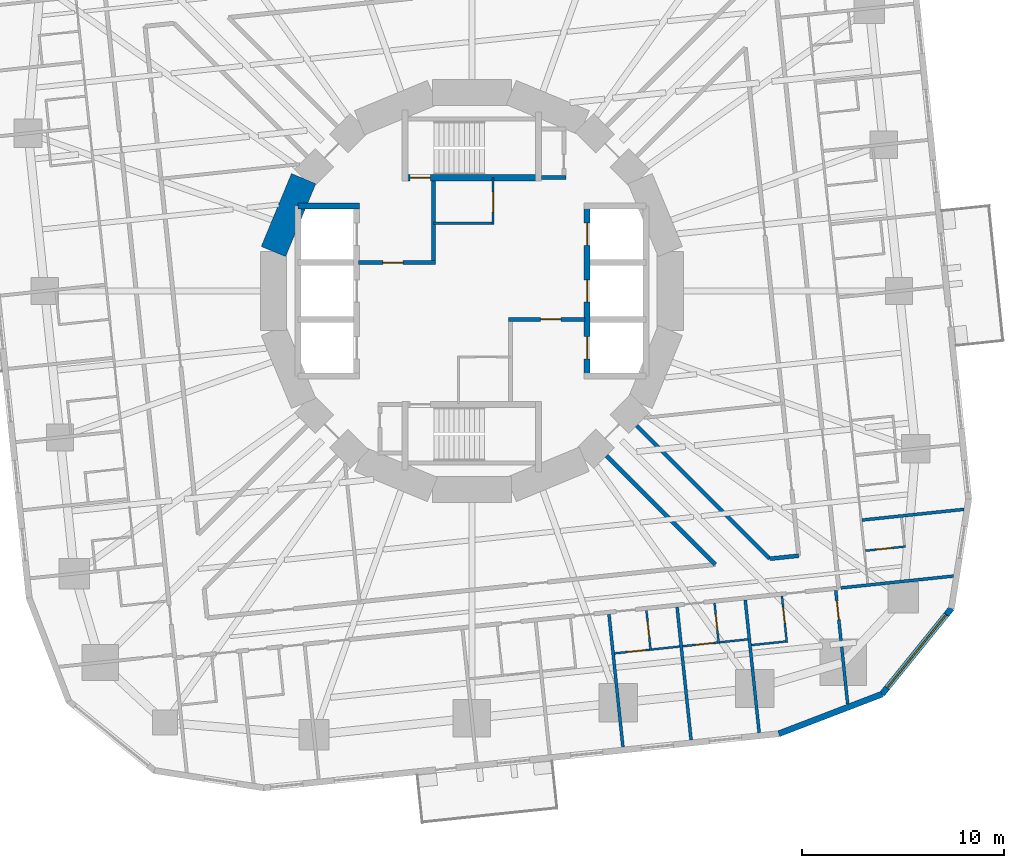
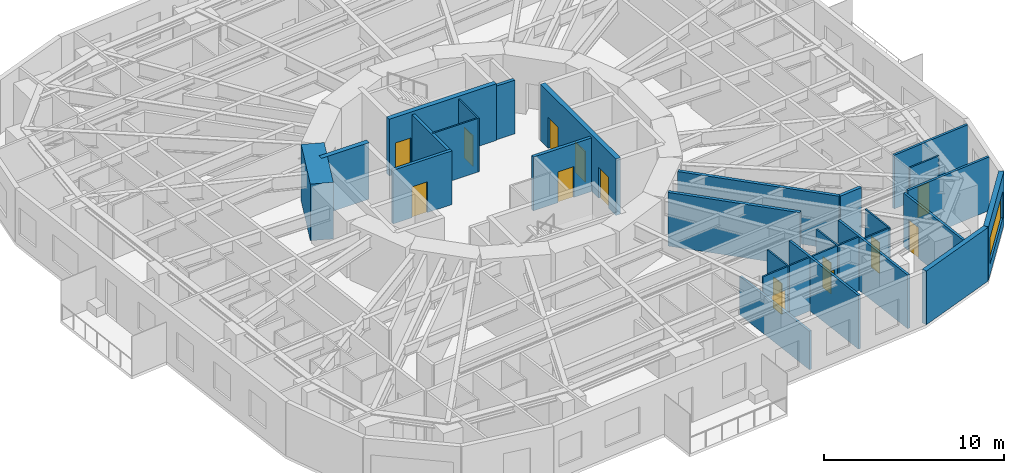
# One storey, part 7 of 13: 30 walls, 14 doors, 1 window, 15 openings.
"""IFC4 building model written with IfcOpenShell, lengths in metres."""

import ifcopenshell
import ifcopenshell.guid

model = None  # the IFC model being written
_history = None  # IfcOwnerHistory: only IFC2X3 demands one
_inside = {}  # id of a spatial element -> (the spatial element, [elements in it])
_under = {}  # id of a project, library or spatial element -> (it, [spatial elements below it])
_declared = {}  # id of a project -> (the project, [libraries it declares])
_typed = {}  # id of a type object -> (the type object, [elements of that type])
_made_of = {}  # id of a material, layer set ... -> (it, [elements and type objects made of it])


def new_model(schema):
    """Start an empty IFC model of exactly this schema.

    Asked for "IFC4X3", IfcOpenShell would pick the latest addendum, in which some entities
    have other attributes; the version numbers below select the first issue.
    IFC2X3 requires an IfcOwnerHistory on every rooted entity: one is made here for all.
    """
    global model, _history
    if schema == "IFC4X3":
        model = ifcopenshell.file(schema_version=(4, 3, 0, 0))
    else:
        model = ifcopenshell.file(schema=schema)
    _inside.clear()
    _under.clear()
    _declared.clear()
    _typed.clear()
    _made_of.clear()
    _history = None
    if model.schema == "IFC2X3":
        org = make("IfcOrganization", Name="unknown")
        user = make(
            "IfcPersonAndOrganization",
            ThePerson=make("IfcPerson", FamilyName="unknown"),
            TheOrganization=org,
        )
        app = make(
            "IfcApplication",
            ApplicationDeveloper=org,
            Version="unknown",
            ApplicationFullName="unknown",
            ApplicationIdentifier="unknown",
        )
        _history = make(
            "IfcOwnerHistory",
            OwningUser=user,
            OwningApplication=app,
            ChangeAction="ADDED",
            CreationDate=0,
        )
    return model


def make(cls, **values):
    """One entity of the class cls with the attributes given. An attribute that is None is left unset."""
    return model.create_entity(
        cls, **{name: value for name, value in values.items() if value is not None}
    )


def rooted(cls, **values):
    """An entity with a GlobalId (a new one), such as an element, a storey or a relation."""
    return make(cls, GlobalId=ifcopenshell.guid.new(), OwnerHistory=_history, **values)


def si_unit(unit_type, name, prefix=None):
    """IfcSIUnit, for example si_unit("LENGTHUNIT", "METRE", prefix="MILLI")."""
    return make("IfcSIUnit", UnitType=unit_type, Prefix=prefix, Name=name)


def assignment(units):
    """IfcUnitAssignment: the units of a project."""
    return None if units is None else make("IfcUnitAssignment", Units=units)


def point(xyz):
    """IfcCartesianPoint."""
    return None if xyz is None else make("IfcCartesianPoint", Coordinates=xyz)


def direction(xyz):
    """IfcDirection."""
    return None if xyz is None else make("IfcDirection", DirectionRatios=xyz)


def frame(location, z_axis=None, x_axis=None):
    """IfcAxis2Placement3D, a coordinate frame: its origin and axes. An axis left out is left unset."""
    return make(
        "IfcAxis2Placement3D",
        Location=point(location),
        Axis=direction(z_axis),
        RefDirection=direction(x_axis),
    )


def frame_2d(location, x_axis=None):
    """IfcAxis2Placement2D, a coordinate frame in the plane: its origin and x axis."""
    return make(
        "IfcAxis2Placement2D", Location=point(location), RefDirection=direction(x_axis)
    )


def origin():
    """The frame at (0, 0, 0) with its axes left unset."""
    return frame((0.0, 0.0, 0.0))


def place(relative_to, where):
    """IfcLocalPlacement: puts the frame where relative to a parent placement (None: the world)."""
    return make(
        "IfcLocalPlacement", PlacementRelTo=relative_to, RelativePlacement=where
    )


def context(
    kind, dimensions, precision=None, world=None, true_north=None, identifier=None
):
    """IfcGeometricRepresentationContext, for example the 3D "Model" context."""
    return make(
        "IfcGeometricRepresentationContext",
        ContextIdentifier=identifier,
        ContextType=kind,
        CoordinateSpaceDimension=dimensions,
        Precision=precision,
        WorldCoordinateSystem=world,
        TrueNorth=true_north,
    )


def subcontext(parent, identifier, kind, view, scale=None):
    """IfcGeometricRepresentationSubContext, for example "Body" below "Model"."""
    return make(
        "IfcGeometricRepresentationSubContext",
        ContextIdentifier=identifier,
        ContextType=kind,
        ParentContext=parent,
        TargetScale=scale,
        TargetView=view,
    )


def project(units=None, contexts=None):
    """IfcProject with its units and contexts."""
    return rooted(
        "IfcProject",
        Name="project",
        RepresentationContexts=contexts,
        UnitsInContext=assignment(units),
    )


def spatial(cls, under=None, at=None, **own):
    """A site, building, storey or space (cls), placed at a placement, below another one or the project."""
    s = rooted(cls, ObjectPlacement=at, **own)
    if under is not None:
        _under.setdefault(under.id(), (under, []))[1].append(s)
    return s


def profile(cls, at=None, kind="AREA", **sizes):
    """A parametric profile (cls). Its sizes go by their IFC names, for example OverallWidth=200.0."""
    return make(cls, ProfileType=kind, Position=at, **sizes)


def rectangle(**sizes):
    """IfcRectangleProfileDef."""
    return profile("IfcRectangleProfileDef", **sizes)


def extrude(swept, where, along, depth):
    """IfcExtrudedAreaSolid: the profile swept, set in the frame where, extruded along a direction by depth."""
    return make(
        "IfcExtrudedAreaSolid",
        SweptArea=swept,
        Position=where,
        ExtrudedDirection=direction(along),
        Depth=depth,
    )


def shape(context_of_items, identifier, shape_type, items):
    """IfcShapeRepresentation: the items that make up one representation, for example the "Body"."""
    return make(
        "IfcShapeRepresentation",
        ContextOfItems=context_of_items,
        RepresentationIdentifier=identifier,
        RepresentationType=shape_type,
        Items=items,
    )


def material(Name=None, Category=None):
    """IfcMaterial."""
    return make("IfcMaterial", Name=Name, Category=Category)


def layer(
    of_material, thickness, ventilated=None, Name=None, Category=None, Priority=None
):
    """IfcMaterialLayer: one layer of a wall or slab, of a material (None: an air gap)."""
    return make(
        "IfcMaterialLayer",
        Material=of_material,
        LayerThickness=thickness,
        IsVentilated=ventilated,
        Name=Name,
        Category=Category,
        Priority=Priority,
    )


def layer_set(layers, Name=None):
    """IfcMaterialLayerSet."""
    return make("IfcMaterialLayerSet", MaterialLayers=layers, LayerSetName=Name)


def made_of(thing, what):
    """Note that an element or type object is made of a material, layer set ...; save() writes the relation."""
    if what is not None:
        _made_of.setdefault(what.id(), (what, []))[1].append(thing)
    return thing


def type_object(cls, material=None, **own):
    """A type object (cls), such as IfcWallType, which elements share."""
    return made_of(rooted(cls, **own), material)


def element(
    cls,
    number,
    at=None,
    inside=None,
    cuts=None,
    type_object=None,
    material=None,
    context=None,
    identifier="Body",
    shape_type=None,
    held_by="IfcProductDefinitionShape",
    body=None,
    shapes=None,
    **own,
):
    """One element of the class cls, such as IfcWall. Its Tag is "e" and its number.

    at: its placement. inside: the storey or other place that contains it. cuts: it is an
    opening in that element (IfcRelVoidsElement). A single representation is given by context,
    identifier, shape_type and body (its items); several are given by shapes. held_by: the class
    of the entity that holds the representations. save() writes the other relations.
    """
    e = rooted(cls, Tag="e%d" % number, ObjectPlacement=at, **own)
    if body is not None:
        shapes = [shape(context, identifier, shape_type, body)]
    if shapes is not None:
        e.Representation = make(held_by, Representations=shapes)
    if inside is not None:
        _inside.setdefault(inside.id(), (inside, []))[1].append(e)
    if cuts is not None:
        rooted(
            "IfcRelVoidsElement", RelatingBuildingElement=cuts, RelatedOpeningElement=e
        )
    if type_object is not None:
        _typed.setdefault(type_object.id(), (type_object, []))[1].append(e)
    return made_of(e, material)


def fill(opening, filler):
    """IfcRelFillsElement: the door or window that sits in an opening."""
    return rooted(
        "IfcRelFillsElement",
        RelatingOpeningElement=opening,
        RelatedBuildingElement=filler,
    )


def aggregate(whole, parts):
    """IfcRelAggregates: a whole, such as a stair, and the parts it consists of."""
    return rooted("IfcRelAggregates", RelatingObject=whole, RelatedObjects=parts)


def save(model, path):
    """Write the relations noted so far, then the file.

    IfcRelAggregates (storeys below a building ...), IfcRelContainedInSpatialStructure (elements
    in a storey), IfcRelDefinesByType, IfcRelAssociatesMaterial and IfcRelDeclares: one each for
    every whole, place, type object, material and project.
    """
    for whole, parts in _under.values():
        aggregate(whole, parts)
    for where, things in _inside.values():
        rooted(
            "IfcRelContainedInSpatialStructure",
            RelatedElements=things,
            RelatingStructure=where,
        )
    for kind, things in _typed.values():
        rooted("IfcRelDefinesByType", RelatedObjects=things, RelatingType=kind)
    for what, things in _made_of.values():
        rooted("IfcRelAssociatesMaterial", RelatedObjects=things, RelatingMaterial=what)
    for by, libraries in _declared.values():
        rooted("IfcRelDeclares", RelatingContext=by, RelatedDefinitions=libraries)
    model.write(path)


model = new_model("IFC4")

# Units and contexts
model_context = context("Model", 3, precision=1e-05, world=origin(), true_north=direction((0.0, 1.0)))
body_context = subcontext(model_context, "Body", "Model", "MODEL_VIEW")
ifc_project = project(units=[si_unit("LENGTHUNIT", "METRE"), si_unit("AREAUNIT", "SQUARE_METRE"), si_unit("VOLUMEUNIT", "CUBIC_METRE"), si_unit("PLANEANGLEUNIT", "RADIAN"), si_unit("MASSUNIT", "GRAM", prefix="KILO")], contexts=[model_context])

# Site, building, storey
site_placement = place(None, origin())
site = spatial("IfcSite", under=ifc_project, at=site_placement, CompositionType="ELEMENT")
building_placement = place(site_placement, origin())
building = spatial("IfcBuilding", under=site, at=building_placement, Name="Nakasero Lantern House", CompositionType="ELEMENT")
storey_placement = place(building_placement, frame((0.0, 0.0, 91.300048828125)))
storey = spatial("IfcBuildingStorey", under=building, at=storey_placement, Name="L22", CompositionType="ELEMENT", Elevation=91.300048828125)

# Wall, openings, doors
ifc_material_1 = material(Name="Concrete C50/60", Category="concrete")
ifc_layer_1 = layer(ifc_material_1, 0.300048828125)
ifc_layer_set_1 = layer_set([ifc_layer_1], Name="Core inner wall 300")
wall_type_1 = type_object("IfcWallType", Name="Core inner wall 300", PredefinedType="SHEAR", material=ifc_layer_set_1)
wall_1_placement = place(storey_placement, frame((5.699951171875, -4.199951171875, 0.0), z_axis=(0.0, 0.0, 1.0), x_axis=(0.0, 1.0, 0.0)))
wall_1 = element("IfcWall", 1, at=wall_1_placement, inside=storey, type_object=wall_type_1, Name="Core inner wall L22 LE", PredefinedType="SHEAR", context=body_context, shape_type="SweptSolid", body=[
    extrude(rectangle(XDim=8.39990234375, YDim=0.300048828125, at=frame_2d((4.199951171875, 0.0))), origin(), (0.0, 0.0, 1.0), 3.849853515625),
])
opening_1_placement = place(wall_1_placement, frame((0.85009765625, 0.0, 0.0)))
opening_1 = element("IfcOpeningElement", 2, at=opening_1_placement, cuts=wall_1, Name="Opening LD", PredefinedType="OPENING", context=body_context, shape_type="SweptSolid", body=[
    extrude(rectangle(XDim=1.10009765625, YDim=2.10009765625, at=frame_2d((0.550048828125, 1.050048828125))), frame((0.0, 0.169921875, 0.0), z_axis=(0.0, -1.0, 0.0), x_axis=(1.0, 0.0, 0.0)), (0.0, 0.0, 1.0), 0.340087890625),
])
opening_2_placement = place(wall_1_placement, frame((3.64990234375, 0.0, 0.0)))
opening_2 = element("IfcOpeningElement", 3, at=opening_2_placement, cuts=wall_1, Name="Opening LD", PredefinedType="OPENING", context=body_context, shape_type="SweptSolid", body=[
    extrude(rectangle(XDim=1.10009765625, YDim=2.10009765625, at=frame_2d((0.550048828125, 1.050048828125))), frame((0.0, 0.169921875, 0.0), z_axis=(0.0, -1.0, 0.0), x_axis=(1.0, 0.0, 0.0)), (0.0, 0.0, 1.0), 0.340087890625),
])
opening_3_placement = place(wall_1_placement, frame((6.449951171875, 0.0, 0.0)))
opening_3 = element("IfcOpeningElement", 4, at=opening_3_placement, cuts=wall_1, Name="Opening LD", PredefinedType="OPENING", context=body_context, shape_type="SweptSolid", body=[
    extrude(rectangle(XDim=1.10009765625, YDim=2.10009765625, at=frame_2d((0.550048828125, 1.050048828125))), frame((0.0, 0.169921875, 0.0), z_axis=(0.0, -1.0, 0.0), x_axis=(1.0, 0.0, 0.0)), (0.0, 0.0, 1.0), 0.340087890625),
])
ifc_material_2 = material(Name="Steel S355", Category="steel")
door_type_1 = type_object("IfcDoorType", Name="Lift landing door E120 1100", OperationType="SLIDING_TO_LEFT", PredefinedType="DOOR", material=ifc_material_2)
door_1_placement = place(opening_1_placement, origin())
door_1 = element("IfcDoor", 5, at=door_1_placement, inside=storey, type_object=door_type_1, Name="Lift landing door LE1", OperationType="SLIDING_TO_LEFT", OverallHeight=2.10009765625, OverallWidth=1.10009765625, PredefinedType="DOOR", context=body_context, shape_type="SweptSolid", body=[
    extrude(rectangle(XDim=1.10009765625, YDim=2.10009765625, at=frame_2d((0.550048828125, 1.050048828125))), frame((0.0, 0.02490234375, 0.0), z_axis=(0.0, -1.0, 0.0), x_axis=(1.0, 0.0, 0.0)), (0.0, 0.0, 1.0), 0.050048828125),
])
fill(opening_1, door_1)
door_2_placement = place(opening_2_placement, origin())
door_2 = element("IfcDoor", 6, at=door_2_placement, inside=storey, type_object=door_type_1, Name="Lift landing door LE2", OperationType="SLIDING_TO_LEFT", OverallHeight=2.10009765625, OverallWidth=1.10009765625, PredefinedType="DOOR", context=body_context, shape_type="SweptSolid", body=[
    extrude(rectangle(XDim=1.10009765625, YDim=2.10009765625, at=frame_2d((0.550048828125, 1.050048828125))), frame((0.0, 0.02490234375, 0.0), z_axis=(0.0, -1.0, 0.0), x_axis=(1.0, 0.0, 0.0)), (0.0, 0.0, 1.0), 0.050048828125),
])
fill(opening_2, door_2)
door_3_placement = place(opening_3_placement, origin())
door_3 = element("IfcDoor", 7, at=door_3_placement, inside=storey, type_object=door_type_1, Name="Lift landing door LE3", OperationType="SLIDING_TO_LEFT", OverallHeight=2.10009765625, OverallWidth=1.10009765625, PredefinedType="DOOR", context=body_context, shape_type="SweptSolid", body=[
    extrude(rectangle(XDim=1.10009765625, YDim=2.10009765625, at=frame_2d((0.550048828125, 1.050048828125))), frame((0.0, 0.02490234375, 0.0), z_axis=(0.0, -1.0, 0.0), x_axis=(1.0, 0.0, 0.0)), (0.0, 0.0, 1.0), 0.050048828125),
])
fill(opening_3, door_3)

# Wall
wall_2_placement = place(storey_placement, frame((-8.60009765625, 4.199951171875, 0.0), z_axis=(0.0, 0.0, 1.0), x_axis=(1.0, 0.0, 0.0)))
element("IfcWall", 8, at=wall_2_placement, inside=storey, type_object=wall_type_1, Name="Core inner wall L22 LWN", PredefinedType="SHEAR", context=body_context, shape_type="SweptSolid", body=[
    extrude(rectangle(XDim=3.050048828125, YDim=0.300048828125, at=frame_2d((1.52490234375, 0.0))), origin(), (0.0, 0.0, 1.0), 3.849853515625),
])

# Wall, opening, door
wall_3_placement = place(storey_placement, frame((-3.449951171875, 5.60009765625, 0.0), z_axis=(0.0, 0.0, 1.0), x_axis=(1.0, 0.0, 0.0)))
wall_3 = element("IfcWall", 9, at=wall_3_placement, inside=storey, type_object=wall_type_1, Name="Core inner wall L22 SN", PredefinedType="SHEAR", context=body_context, shape_type="SweptSolid", body=[
    extrude(rectangle(XDim=6.89990234375, YDim=0.300048828125, at=frame_2d((3.449951171875, 0.0))), origin(), (0.0, 0.0, 1.0), 3.849853515625),
])
opening_4_placement = place(wall_3_placement, frame((0.39990234375, 0.0, 0.0)))
opening_4 = element("IfcOpeningElement", 10, at=opening_4_placement, cuts=wall_3, Name="Opening D05", PredefinedType="OPENING", context=body_context, shape_type="SweptSolid", body=[
    extrude(rectangle(XDim=1.0, YDim=2.10009765625, at=frame_2d((0.5, 1.050048828125))), frame((0.0, 0.169921875, 0.0), z_axis=(0.0, -1.0, 0.0), x_axis=(1.0, 0.0, 0.0)), (0.0, 0.0, 1.0), 0.340087890625),
])
ifc_material_3 = material(Name="Timber C24", Category="wood")
door_type_2 = type_object("IfcDoorType", Name="Core door FD60S 1000", OperationType="SINGLE_SWING_LEFT", PredefinedType="DOOR", material=ifc_material_3)
door_4_placement = place(opening_4_placement, origin())
door_4 = element("IfcDoor", 11, at=door_4_placement, inside=storey, type_object=door_type_2, Name="Door L22 D-ST1", OperationType="SINGLE_SWING_LEFT", OverallHeight=2.10009765625, OverallWidth=1.0, PredefinedType="DOOR", context=body_context, shape_type="SweptSolid", body=[
    extrude(rectangle(XDim=1.0, YDim=2.10009765625, at=frame_2d((0.5, 1.050048828125))), frame((0.0, 0.02490234375, 0.0), z_axis=(0.0, -1.0, 0.0), x_axis=(1.0, 0.0, 0.0)), (0.0, 0.0, 1.0), 0.050048828125),
])
fill(opening_4, door_4)

# Wall
ifc_material_4 = material(Name="Blockwork", Category="masonry")
ifc_layer_2 = layer(ifc_material_4, 0.10009765625)
ifc_layer_set_2 = layer_set([ifc_layer_2], Name="Core room wall 100")
wall_type_2 = type_object("IfcWallType", Name="Core room wall 100", PredefinedType="PARTITIONING", material=ifc_layer_set_2)
wall_4_placement = place(storey_placement, frame((-1.89990234375, 3.35009765625, 0.0), z_axis=(0.0, 0.0, 1.0), x_axis=(1.0, 0.0, 0.0)))
element("IfcWall", 12, at=wall_4_placement, inside=storey, type_object=wall_type_2, Name="Core room wall L22 CR-NES", PredefinedType="PARTITIONING", context=body_context, shape_type="SweptSolid", body=[
    extrude(rectangle(XDim=3.0, YDim=0.10009765625, at=frame_2d((1.5, 0.0))), origin(), (0.0, 0.0, 1.0), 3.64990234375),
])

# Wall, opening, door
wall_5_placement = place(storey_placement, frame((1.050048828125, 3.300048828125, 0.0), z_axis=(0.0, 0.0, 1.0), x_axis=(0.0, 1.0, 0.0)))
wall_5 = element("IfcWall", 13, at=wall_5_placement, inside=storey, type_object=wall_type_2, Name="Core room wall L22 CR-NEE", PredefinedType="PARTITIONING", context=body_context, shape_type="SweptSolid", body=[
    extrude(rectangle(XDim=2.300048828125, YDim=0.10009765625, at=frame_2d((1.14990234375, 0.0))), origin(), (0.0, 0.0, 1.0), 3.64990234375),
])
opening_5_placement = place(wall_5_placement, frame((0.60009765625, 0.0, 0.0)))
opening_5 = element("IfcOpeningElement", 14, at=opening_5_placement, cuts=wall_5, Name="Opening D13", PredefinedType="OPENING", context=body_context, shape_type="SweptSolid", body=[
    extrude(rectangle(XDim=1.0, YDim=2.10009765625, at=frame_2d((0.5, 1.050048828125))), frame((0.0, 0.070068359375, 0.0), z_axis=(0.0, -1.0, 0.0), x_axis=(1.0, 0.0, 0.0)), (0.0, 0.0, 1.0), 0.14013671875),
])
ifc_material_5 = material(Name="Steel S355", Category="steel")
door_type_3 = type_object("IfcDoorType", Name="Plant room door FD60 1000", OperationType="SINGLE_SWING_LEFT", PredefinedType="DOOR", material=ifc_material_5)
door_5_placement = place(opening_5_placement, origin())
door_5 = element("IfcDoor", 15, at=door_5_placement, inside=storey, type_object=door_type_3, Name="Door L22 D-CR-NE", OperationType="SINGLE_SWING_LEFT", OverallHeight=2.10009765625, OverallWidth=1.0, PredefinedType="DOOR", context=body_context, shape_type="SweptSolid", body=[
    extrude(rectangle(XDim=1.0, YDim=2.10009765625, at=frame_2d((0.5, 1.050048828125))), frame((0.0, 0.02490234375, 0.0), z_axis=(0.0, -1.0, 0.0), x_axis=(1.0, 0.0, 0.0)), (0.0, 0.0, 1.0), 0.050048828125),
])
fill(opening_5, door_5)

# Walls
ifc_material_6 = material(Name="Concrete C50/60", Category="concrete")
ifc_layer_3 = layer(ifc_material_6, 1.300048828125)
ifc_layer_set_3 = layer_set([ifc_layer_3], Name="Core wall 1300")
wall_type_3 = type_object("IfcWallType", Name="Core wall 1300", PredefinedType="SHEAR", material=ifc_layer_set_3)
wall_6_placement = place(storey_placement, frame((-8.314697265625, 5.5556640625, 0.0), z_axis=(0.0, 0.0, 1.0), x_axis=(-0.382690736062, -0.923876507187, 0.0)))
element("IfcWall", 16, at=wall_6_placement, inside=storey, type_object=wall_type_3, Name="Core wall L22 facet 7", PredefinedType="SHEAR", context=body_context, shape_type="SweptSolid", body=[
    extrude(rectangle(XDim=3.90185546875, YDim=1.300048828125, at=frame_2d((1.950927734375, 0.0))), origin(), (0.0, 0.0, 1.0), 3.849853515625),
])
ifc_material_7 = material(Name="Blockwork", Category="masonry")
ifc_layer_4 = layer(ifc_material_7, 0.199951171875)
ifc_layer_set_4 = layer_set([ifc_layer_4], Name="Corridor wall 200")
wall_type_4 = type_object("IfcWallType", Name="Corridor wall 200", PredefinedType="PARTITIONING", material=ifc_layer_set_4)
wall_7_placement = place(storey_placement, frame((14.718994140625, -13.23388671875, 0.0), z_axis=(0.0, 0.0, 1.0), x_axis=(0.994533193131, 0.104420916302, 0.0)))
element("IfcWall", 17, at=wall_7_placement, inside=storey, type_object=wall_type_4, Name="Corridor wall L22 IW3-1", PredefinedType="PARTITIONING", context=body_context, shape_type="SweptSolid", body=[
    extrude(rectangle(XDim=1.44482421875, YDim=0.199951171875, at=frame_2d((0.722412109375, 0.0))), origin(), (0.0, 0.0, 1.0), 3.64990234375),
])
wall_8_placement = place(storey_placement, frame((8.13720703125, -6.65234375, 0.0), z_axis=(0.0, 0.0, 1.0), x_axis=(0.707119895793, -0.707093666337, 0.0)))
element("IfcWall", 18, at=wall_8_placement, inside=storey, type_object=wall_type_4, Name="Corridor wall L22 PS14a", PredefinedType="PARTITIONING", context=body_context, shape_type="SweptSolid", body=[
    extrude(rectangle(XDim=9.307861328125, YDim=0.199951171875, at=frame_2d((4.65380859375, 0.0))), origin(), (0.0, 0.0, 1.0), 3.64990234375),
])
wall_9_placement = place(storey_placement, frame((6.65234375, -8.13720703125, 0.0), z_axis=(0.0, 0.0, 1.0), x_axis=(0.707106781187, -0.707106781187, 0.0)))
element("IfcWall", 19, at=wall_9_placement, inside=storey, type_object=wall_type_4, Name="Corridor wall L22 PS14b", PredefinedType="PARTITIONING", context=body_context, shape_type="SweptSolid", body=[
    extrude(rectangle(XDim=7.607177734375, YDim=0.199951171875, at=frame_2d((3.8037109375, 0.0))), origin(), (0.0, 0.0, 1.0), 3.64990234375),
])

# Wall, opening, door
ifc_material_8 = material(Name="Blockwork", Category="masonry")
ifc_layer_5 = layer(ifc_material_8, 0.10009765625)
ifc_layer_set_5 = layer_set([ifc_layer_5], Name="En-suite wall 100")
wall_type_5 = type_object("IfcWallType", Name="En-suite wall 100", PredefinedType="PARTITIONING", material=ifc_layer_set_5)
wall_10_placement = place(storey_placement, frame((19.448486328125, -12.837158203125, 0.0), z_axis=(0.0, 0.0, 1.0), x_axis=(0.99452550138, 0.104494148666, 0.0)))
wall_10 = element("IfcWall", 20, at=wall_10_placement, inside=storey, type_object=wall_type_5, Name="En-suite wall L22 ES0-00", PredefinedType="PARTITIONING", context=body_context, shape_type="SweptSolid", body=[
    extrude(rectangle(XDim=2.0, YDim=0.10009765625, at=frame_2d((1.0, 0.0))), origin(), (0.0, 0.0, 1.0), 3.64990234375),
])
opening_6_placement = place(wall_10_placement, frame((0.550048828125, 0.0, 0.0)))
opening_6 = element("IfcOpeningElement", 21, at=opening_6_placement, cuts=wall_10, Name="Opening D02", PredefinedType="OPENING", context=body_context, shape_type="SweptSolid", body=[
    extrude(rectangle(XDim=0.800048828125, YDim=2.10009765625, at=frame_2d((0.39990234375, 1.050048828125))), frame((0.0, 0.070068359375, 0.0), z_axis=(0.0, -1.0, 0.0), x_axis=(1.0, 0.0, 0.0)), (0.0, 0.0, 1.0), 0.14013671875),
])
ifc_material_9 = material(Name="Timber C24", Category="wood")
door_type_4 = type_object("IfcDoorType", Name="En-suite door 800", OperationType="SINGLE_SWING_RIGHT", PredefinedType="DOOR", material=ifc_material_9)
door_6_placement = place(opening_6_placement, origin())
door_6 = element("IfcDoor", 22, at=door_6_placement, inside=storey, type_object=door_type_4, Name="Door L22 DE0-00", OperationType="SINGLE_SWING_LEFT", OverallHeight=2.10009765625, OverallWidth=0.800048828125, PredefinedType="DOOR", context=body_context, shape_type="SweptSolid", body=[
    extrude(rectangle(XDim=0.800048828125, YDim=2.10009765625, at=frame_2d((0.39990234375, 1.050048828125))), frame((0.0, 0.02490234375, 0.0), z_axis=(0.0, -1.0, 0.0), x_axis=(1.0, 0.0, 0.0)), (0.0, 0.0, 1.0), 0.050048828125),
])
fill(opening_6, door_6)

wall_11_placement = place(storey_placement, frame((8.627685546875, -15.78466796875, 0.0), z_axis=(0.0, 0.0, 1.0), x_axis=(0.104614886044, -0.994512808172, 0.0)))
wall_11 = element("IfcWall", 23, at=wall_11_placement, inside=storey, type_object=wall_type_5, Name="En-suite wall L22 ES3-06", PredefinedType="PARTITIONING", context=body_context, shape_type="SweptSolid", body=[
    extrude(rectangle(XDim=2.0, YDim=0.10009765625, at=frame_2d((1.0, 0.0))), origin(), (0.0, 0.0, 1.0), 3.64990234375),
])
opening_7_placement = place(wall_11_placement, frame((0.550048828125, 0.0, 0.0)))
opening_7 = element("IfcOpeningElement", 24, at=opening_7_placement, cuts=wall_11, Name="Opening D02", PredefinedType="OPENING", context=body_context, shape_type="SweptSolid", body=[
    extrude(rectangle(XDim=0.800048828125, YDim=2.10009765625, at=frame_2d((0.39990234375, 1.050048828125))), frame((0.0, 0.070068359375, 0.0), z_axis=(0.0, -1.0, 0.0), x_axis=(1.0, 0.0, 0.0)), (0.0, 0.0, 1.0), 0.14013671875),
])
door_7_placement = place(opening_7_placement, origin())
door_7 = element("IfcDoor", 25, at=door_7_placement, inside=storey, type_object=door_type_4, Name="Door L22 DE3-06", OperationType="SINGLE_SWING_LEFT", OverallHeight=2.10009765625, OverallWidth=0.800048828125, PredefinedType="DOOR", context=body_context, shape_type="SweptSolid", body=[
    extrude(rectangle(XDim=0.800048828125, YDim=2.10009765625, at=frame_2d((0.39990234375, 1.050048828125))), frame((0.0, 0.02490234375, 0.0), z_axis=(0.0, -1.0, 0.0), x_axis=(1.0, 0.0, 0.0)), (0.0, 0.0, 1.0), 0.050048828125),
])
fill(opening_7, door_7)

# Wall
wall_12_placement = place(storey_placement, frame((8.88134765625, -17.71875, 0.0), z_axis=(0.0, 0.0, 1.0), x_axis=(0.994511184598, 0.104630319263, 0.0)))
element("IfcWall", 26, at=wall_12_placement, inside=storey, type_object=wall_type_5, Name="En-suite wall L22 EE3-06", PredefinedType="PARTITIONING", context=body_context, shape_type="SweptSolid", body=[
    extrude(rectangle(XDim=1.39990234375, YDim=0.10009765625, at=frame_2d((0.699951171875, 0.0))), origin(), (0.0, 0.0, 1.0), 3.64990234375),
])

# Wall, opening, door
wall_13_placement = place(storey_placement, frame((11.994873046875, -15.4306640625, 0.0), z_axis=(0.0, 0.0, 1.0), x_axis=(0.104494148666, -0.99452550138, 0.0)))
wall_13 = element("IfcWall", 27, at=wall_13_placement, inside=storey, type_object=wall_type_5, Name="En-suite wall L22 ES3-07", PredefinedType="PARTITIONING", context=body_context, shape_type="SweptSolid", body=[
    extrude(rectangle(XDim=2.0, YDim=0.10009765625, at=frame_2d((1.0, 0.0))), origin(), (0.0, 0.0, 1.0), 3.64990234375),
])
opening_8_placement = place(wall_13_placement, frame((0.550048828125, 0.0, 0.0)))
opening_8 = element("IfcOpeningElement", 28, at=opening_8_placement, cuts=wall_13, Name="Opening D02", PredefinedType="OPENING", context=body_context, shape_type="SweptSolid", body=[
    extrude(rectangle(XDim=0.800048828125, YDim=2.10009765625, at=frame_2d((0.39990234375, 1.050048828125))), frame((0.0, 0.070068359375, 0.0), z_axis=(0.0, -1.0, 0.0), x_axis=(1.0, 0.0, 0.0)), (0.0, 0.0, 1.0), 0.14013671875),
])
door_8_placement = place(opening_8_placement, origin())
door_8 = element("IfcDoor", 29, at=door_8_placement, inside=storey, type_object=door_type_4, Name="Door L22 DE3-07", OperationType="SINGLE_SWING_LEFT", OverallHeight=2.10009765625, OverallWidth=0.800048828125, PredefinedType="DOOR", context=body_context, shape_type="SweptSolid", body=[
    extrude(rectangle(XDim=0.800048828125, YDim=2.10009765625, at=frame_2d((0.39990234375, 1.050048828125))), frame((0.0, 0.02490234375, 0.0), z_axis=(0.0, -1.0, 0.0), x_axis=(1.0, 0.0, 0.0)), (0.0, 0.0, 1.0), 0.050048828125),
])
fill(opening_8, door_8)

# Wall
wall_14_placement = place(storey_placement, frame((12.248291015625, -17.36474609375, 0.0), z_axis=(0.0, 0.0, 1.0), x_axis=(0.994529315664, 0.104457839748, 0.0)))
element("IfcWall", 30, at=wall_14_placement, inside=storey, type_object=wall_type_5, Name="En-suite wall L22 EE3-07", PredefinedType="PARTITIONING", context=body_context, shape_type="SweptSolid", body=[
    extrude(rectangle(XDim=1.39990234375, YDim=0.10009765625, at=frame_2d((0.699951171875, 0.0))), origin(), (0.0, 0.0, 1.0), 3.64990234375),
])

# Wall, opening, door
wall_15_placement = place(storey_placement, frame((15.326416015625, -15.08056640625, 0.0), z_axis=(0.0, 0.0, 1.0), x_axis=(0.104557694553, -0.994518822602, 0.0)))
wall_15 = element("IfcWall", 31, at=wall_15_placement, inside=storey, type_object=wall_type_5, Name="En-suite wall L22 ES3-08", PredefinedType="PARTITIONING", context=body_context, shape_type="SweptSolid", body=[
    extrude(rectangle(XDim=2.300048828125, YDim=0.10009765625, at=frame_2d((1.14990234375, 0.0))), origin(), (0.0, 0.0, 1.0), 3.64990234375),
])
opening_9_placement = place(wall_15_placement, frame((0.550048828125, 0.0, 0.0)))
opening_9 = element("IfcOpeningElement", 32, at=opening_9_placement, cuts=wall_15, Name="Opening D02", PredefinedType="OPENING", context=body_context, shape_type="SweptSolid", body=[
    extrude(rectangle(XDim=0.800048828125, YDim=2.10009765625, at=frame_2d((0.39990234375, 1.050048828125))), frame((0.0, 0.070068359375, 0.0), z_axis=(0.0, -1.0, 0.0), x_axis=(1.0, 0.0, 0.0)), (0.0, 0.0, 1.0), 0.14013671875),
])
door_9_placement = place(opening_9_placement, origin())
door_9 = element("IfcDoor", 33, at=door_9_placement, inside=storey, type_object=door_type_4, Name="Door L22 DE3-08", OperationType="SINGLE_SWING_LEFT", OverallHeight=2.10009765625, OverallWidth=0.800048828125, PredefinedType="DOOR", context=body_context, shape_type="SweptSolid", body=[
    extrude(rectangle(XDim=0.800048828125, YDim=2.10009765625, at=frame_2d((0.39990234375, 1.050048828125))), frame((0.0, 0.02490234375, 0.0), z_axis=(0.0, -1.0, 0.0), x_axis=(1.0, 0.0, 0.0)), (0.0, 0.0, 1.0), 0.050048828125),
])
fill(opening_9, door_9)

# Wall
wall_16_placement = place(storey_placement, frame((13.8212890625, -17.501220703125, 0.0), z_axis=(0.0, 0.0, 1.0), x_axis=(0.994519608382, 0.104550220202, 0.0)))
element("IfcWall", 34, at=wall_16_placement, inside=storey, type_object=wall_type_5, Name="En-suite wall L22 EE3-08", PredefinedType="PARTITIONING", context=body_context, shape_type="SweptSolid", body=[
    extrude(rectangle(XDim=1.699951171875, YDim=0.10009765625, at=frame_2d((0.85009765625, 0.0))), origin(), (0.0, 0.0, 1.0), 3.64990234375),
])

# Wall, opening, door
wall_17_placement = place(storey_placement, frame((7.055908203125, -17.91064453125, 0.0), z_axis=(0.0, 0.0, 1.0), x_axis=(0.99452316669, 0.10451636674, 0.0)))
wall_17 = element("IfcWall", 35, at=wall_17_placement, inside=storey, type_object=wall_type_5, Name="En-suite wall L22 EL3-06", PredefinedType="PARTITIONING", context=body_context, shape_type="SweptSolid", body=[
    extrude(rectangle(XDim=1.735595703125, YDim=0.10009765625, at=frame_2d((0.86767578125, 0.0))), origin(), (0.0, 0.0, 1.0), 3.64990234375),
])
opening_10_placement = place(wall_17_placement, frame((0.635498046875, 0.0, 0.0)))
opening_10 = element("IfcOpeningElement", 36, at=opening_10_placement, cuts=wall_17, Name="Opening D17", PredefinedType="OPENING", context=body_context, shape_type="SweptSolid", body=[
    extrude(rectangle(XDim=0.89990234375, YDim=2.10009765625, at=frame_2d((0.449951171875, 1.050048828125))), frame((0.0, 0.070068359375, 0.0), z_axis=(0.0, -1.0, 0.0), x_axis=(1.0, 0.0, 0.0)), (0.0, 0.0, 1.0), 0.14013671875),
])
ifc_material_10 = material(Name="Timber C24", Category="wood")
door_type_5 = type_object("IfcDoorType", Name="Bedroom door FD30S 900", OperationType="SINGLE_SWING_LEFT", PredefinedType="DOOR", material=ifc_material_10)
door_10_placement = place(opening_10_placement, origin())
door_10 = element("IfcDoor", 37, at=door_10_placement, inside=storey, type_object=door_type_5, Name="Door L22 DL3-06", OperationType="SINGLE_SWING_RIGHT", OverallHeight=2.10009765625, OverallWidth=0.89990234375, PredefinedType="DOOR", context=body_context, shape_type="SweptSolid", body=[
    extrude(rectangle(XDim=0.89990234375, YDim=2.10009765625, at=frame_2d((0.449951171875, 1.050048828125))), frame((0.0, 0.02490234375, 0.0), z_axis=(0.0, -1.0, 0.0), x_axis=(1.0, 0.0, 0.0)), (0.0, 0.0, 1.0), 0.050048828125),
])
fill(opening_10, door_10)

wall_18_placement = place(storey_placement, frame((10.4228515625, -17.556640625, 0.0), z_axis=(0.0, 0.0, 1.0), x_axis=(0.99452316669, 0.10451636674, 0.0)))
wall_18 = element("IfcWall", 38, at=wall_18_placement, inside=storey, type_object=wall_type_5, Name="En-suite wall L22 EL3-07", PredefinedType="PARTITIONING", context=body_context, shape_type="SweptSolid", body=[
    extrude(rectangle(XDim=1.735595703125, YDim=0.10009765625, at=frame_2d((0.86767578125, 0.0))), origin(), (0.0, 0.0, 1.0), 3.64990234375),
])
opening_11_placement = place(wall_18_placement, frame((0.635498046875, 0.0, 0.0)))
opening_11 = element("IfcOpeningElement", 39, at=opening_11_placement, cuts=wall_18, Name="Opening D17", PredefinedType="OPENING", context=body_context, shape_type="SweptSolid", body=[
    extrude(rectangle(XDim=0.89990234375, YDim=2.10009765625, at=frame_2d((0.449951171875, 1.050048828125))), frame((0.0, 0.070068359375, 0.0), z_axis=(0.0, -1.0, 0.0), x_axis=(1.0, 0.0, 0.0)), (0.0, 0.0, 1.0), 0.14013671875),
])
door_11_placement = place(opening_11_placement, origin())
door_11 = element("IfcDoor", 40, at=door_11_placement, inside=storey, type_object=door_type_5, Name="Door L22 DL3-07", OperationType="SINGLE_SWING_RIGHT", OverallHeight=2.10009765625, OverallWidth=0.89990234375, PredefinedType="DOOR", context=body_context, shape_type="SweptSolid", body=[
    extrude(rectangle(XDim=0.89990234375, YDim=2.10009765625, at=frame_2d((0.449951171875, 1.050048828125))), frame((0.0, 0.02490234375, 0.0), z_axis=(0.0, -1.0, 0.0), x_axis=(1.0, 0.0, 0.0)), (0.0, 0.0, 1.0), 0.050048828125),
])
fill(opening_11, door_11)

# Wall
ifc_material_11 = material(Name="Aluminium rainscreen on blockwork", Category="masonry")
ifc_layer_6 = layer(ifc_material_11, 0.300048828125)
ifc_layer_set_6 = layer_set([ifc_layer_6], Name="Facade wall 300")
wall_type_6 = type_object("IfcWallType", Name="Facade wall 300", PredefinedType="SOLIDWALL", material=ifc_layer_set_6)
wall_19_placement = place(storey_placement, frame((15.170654296875, -21.884033203125, 0.0), z_axis=(0.0, 0.0, 1.0), x_axis=(0.933583906079, 0.358358884793, 0.0)))
element("IfcWall", 41, at=wall_19_placement, inside=storey, type_object=wall_type_6, Name="Facade wall L22 FW3C1", PredefinedType="SOLIDWALL", context=body_context, shape_type="SweptSolid", body=[
    extrude(rectangle(XDim=5.461181640625, YDim=0.300048828125, at=frame_2d((2.73046875, 0.0))), origin(), (0.0, 0.0, 1.0), 3.64990234375),
])

# Wall, opening, window
wall_20_placement = place(storey_placement, frame((20.26904296875, -19.927001953125, 0.0), z_axis=(0.0, 0.0, 1.0), x_axis=(0.629334543442, 0.777134500863, 0.0)))
wall_20 = element("IfcWall", 42, at=wall_20_placement, inside=storey, type_object=wall_type_6, Name="Facade wall L22 FW3C2", PredefinedType="SOLIDWALL", context=body_context, shape_type="SweptSolid", body=[
    extrude(rectangle(XDim=5.4609375, YDim=0.300048828125, at=frame_2d((2.73046875, 0.0))), origin(), (0.0, 0.0, 1.0), 3.64990234375),
])
opening_12_placement = place(wall_20_placement, frame((0.39990234375, 0.0, 0.75)))
opening_12 = element("IfcOpeningElement", 43, at=opening_12_placement, cuts=wall_20, Name="Opening W246", PredefinedType="OPENING", context=body_context, shape_type="SweptSolid", body=[
    extrude(rectangle(XDim=4.660888671875, YDim=1.800048828125, at=frame_2d((2.33056640625, 0.89990234375))), frame((0.0, 0.169921875, 0.0), z_axis=(0.0, -1.0, 0.0), x_axis=(1.0, 0.0, 0.0)), (0.0, 0.0, 1.0), 0.340087890625),
])
ifc_material_12 = material(Name="Aluminium 6063-T6 and glass", Category="aluminium")
window_type = type_object("IfcWindowType", Name="Corner window 4661x1800", PartitioningType="SINGLE_PANEL", PredefinedType="WINDOW", material=ifc_material_12)
window_placement = place(opening_12_placement, origin())
window = element("IfcWindow", 44, at=window_placement, inside=storey, type_object=window_type, Name="Window L22 WC3", OverallHeight=1.800048828125, OverallWidth=4.660888671875, PartitioningType="SINGLE_PANEL", PredefinedType="WINDOW", context=body_context, shape_type="SweptSolid", body=[
    extrude(rectangle(XDim=4.660888671875, YDim=1.800048828125, at=frame_2d((2.33056640625, 0.89990234375))), frame((0.0, 0.030029296875, 0.0), z_axis=(0.0, -1.0, 0.0), x_axis=(1.0, 0.0, 0.0)), (0.0, 0.0, 1.0), 0.06005859375),
])
fill(opening_12, window)

# Wall, opening, door
ifc_material_13 = material(Name="Blockwork", Category="masonry")
ifc_layer_7 = layer(ifc_material_13, 0.199951171875)
ifc_layer_set_7 = layer_set([ifc_layer_7], Name="Fire lobby wall 200")
wall_type_7 = type_object("IfcWallType", Name="Fire lobby wall 200", PredefinedType="PARTITIONING", material=ifc_layer_set_7)
wall_21_placement = place(storey_placement, frame((-5.60009765625, 1.39990234375, 0.0), z_axis=(0.0, 0.0, 1.0), x_axis=(1.0, 0.0, 0.0)))
wall_21 = element("IfcWall", 45, at=wall_21_placement, inside=storey, type_object=wall_type_7, Name="Fire lobby wall L22 W-FL1S", PredefinedType="PARTITIONING", context=body_context, shape_type="SweptSolid", body=[
    extrude(rectangle(XDim=3.800048828125, YDim=0.199951171875, at=frame_2d((1.89990234375, 0.0))), origin(), (0.0, 0.0, 1.0), 3.64990234375),
])
opening_13_placement = place(wall_21_placement, frame((1.199951171875, 0.0, 0.0)))
opening_13 = element("IfcOpeningElement", 46, at=opening_13_placement, cuts=wall_21, Name="Opening D05", PredefinedType="OPENING", context=body_context, shape_type="SweptSolid", body=[
    extrude(rectangle(XDim=1.0, YDim=2.10009765625, at=frame_2d((0.5, 1.050048828125))), frame((0.0, 0.119873046875, 0.0), z_axis=(0.0, -1.0, 0.0), x_axis=(1.0, 0.0, 0.0)), (0.0, 0.0, 1.0), 0.239990234375),
])
door_12_placement = place(opening_13_placement, origin())
door_12 = element("IfcDoor", 47, at=door_12_placement, inside=storey, type_object=door_type_2, Name="Door L22 D-FL1", OperationType="SINGLE_SWING_LEFT", OverallHeight=2.10009765625, OverallWidth=1.0, PredefinedType="DOOR", context=body_context, shape_type="SweptSolid", body=[
    extrude(rectangle(XDim=1.0, YDim=2.10009765625, at=frame_2d((0.5, 1.050048828125))), frame((0.0, 0.02490234375, 0.0), z_axis=(0.0, -1.0, 0.0), x_axis=(1.0, 0.0, 0.0)), (0.0, 0.0, 1.0), 0.050048828125),
])
fill(opening_13, door_12)

# Wall
wall_22_placement = place(storey_placement, frame((-1.89990234375, 1.5, 0.0), z_axis=(0.0, 0.0, 1.0), x_axis=(0.0, 1.0, 0.0)))
element("IfcWall", 48, at=wall_22_placement, inside=storey, type_object=wall_type_7, Name="Fire lobby wall L22 W-FL1E", PredefinedType="PARTITIONING", context=body_context, shape_type="SweptSolid", body=[
    extrude(rectangle(XDim=3.949951171875, YDim=0.199951171875, at=frame_2d((1.97509765625, 0.0))), origin(), (0.0, 0.0, 1.0), 3.64990234375),
])

# Wall, opening, door
wall_23_placement = place(storey_placement, frame((5.60009765625, -1.39990234375, 0.0), z_axis=(0.0, 0.0, 1.0), x_axis=(-1.0, 0.0, 0.0)))
wall_23 = element("IfcWall", 49, at=wall_23_placement, inside=storey, type_object=wall_type_7, Name="Fire lobby wall L22 W-FL2N", PredefinedType="PARTITIONING", context=body_context, shape_type="SweptSolid", body=[
    extrude(rectangle(XDim=3.800048828125, YDim=0.199951171875, at=frame_2d((1.89990234375, 0.0))), origin(), (0.0, 0.0, 1.0), 3.64990234375),
])
opening_14_placement = place(wall_23_placement, frame((1.199951171875, 0.0, 0.0)))
opening_14 = element("IfcOpeningElement", 50, at=opening_14_placement, cuts=wall_23, Name="Opening D05", PredefinedType="OPENING", context=body_context, shape_type="SweptSolid", body=[
    extrude(rectangle(XDim=1.0, YDim=2.10009765625, at=frame_2d((0.5, 1.050048828125))), frame((0.0, 0.119873046875, 0.0), z_axis=(0.0, -1.0, 0.0), x_axis=(1.0, 0.0, 0.0)), (0.0, 0.0, 1.0), 0.239990234375),
])
door_13_placement = place(opening_14_placement, origin())
door_13 = element("IfcDoor", 51, at=door_13_placement, inside=storey, type_object=door_type_2, Name="Door L22 D-FL2", OperationType="SINGLE_SWING_LEFT", OverallHeight=2.10009765625, OverallWidth=1.0, PredefinedType="DOOR", context=body_context, shape_type="SweptSolid", body=[
    extrude(rectangle(XDim=1.0, YDim=2.10009765625, at=frame_2d((0.5, 1.050048828125))), frame((0.0, 0.02490234375, 0.0), z_axis=(0.0, -1.0, 0.0), x_axis=(1.0, 0.0, 0.0)), (0.0, 0.0, 1.0), 0.050048828125),
])
fill(opening_14, door_13)

# Walls
wall_24_placement = place(storey_placement, frame((3.449951171875, 5.60009765625, 0.0), z_axis=(0.0, 0.0, 1.0), x_axis=(1.0, 0.0, 0.0)))
element("IfcWall", 52, at=wall_24_placement, inside=storey, type_object=wall_type_7, Name="Fire lobby wall L22 W-RS1S", PredefinedType="PARTITIONING", context=body_context, shape_type="SweptSolid", body=[
    extrude(rectangle(XDim=1.199951171875, YDim=0.199951171875, at=frame_2d((0.60009765625, 0.0))), origin(), (0.0, 0.0, 1.0), 3.64990234375),
])
ifc_material_14 = material(Name="Blockwork", Category="masonry")
ifc_layer_8 = layer(ifc_material_14, 0.14990234375)
ifc_layer_set_8 = layer_set([ifc_layer_8], Name="Party wall 150")
wall_type_8 = type_object("IfcWallType", Name="Party wall 150", PredefinedType="PARTITIONING", material=ifc_layer_set_8)
wall_25_placement = place(storey_placement, frame((18.23388671875, -14.674560546875, 0.0), z_axis=(0.0, 0.0, 1.0), x_axis=(0.994520498284, 0.104541754786, 0.0)))
element("IfcWall", 53, at=wall_25_placement, inside=storey, type_object=wall_type_8, Name="Party wall L22 PW0-00", PredefinedType="PARTITIONING", context=body_context, shape_type="SweptSolid", body=[
    extrude(rectangle(XDim=5.597900390625, YDim=0.14990234375, at=frame_2d((2.798828125, 0.0))), origin(), (0.0, 0.0, 1.0), 3.64990234375),
])
wall_26_placement = place(storey_placement, frame((19.2890625, -11.320556640625, 0.0), z_axis=(0.0, 0.0, 1.0), x_axis=(0.994518658271, 0.104559257608, 0.0)))
element("IfcWall", 54, at=wall_26_placement, inside=storey, type_object=wall_type_8, Name="Party wall L22 PW0-01", PredefinedType="PARTITIONING", context=body_context, shape_type="SweptSolid", body=[
    extrude(rectangle(XDim=5.062255859375, YDim=0.14990234375, at=frame_2d((2.53125, 0.0))), origin(), (0.0, 0.0, 1.0), 3.64990234375),
])
wall_27_placement = place(storey_placement, frame((6.77734375, -15.97900390625, 0.0), z_axis=(0.0, 0.0, 1.0), x_axis=(0.104534592565, -0.994521251134, 0.0)))
element("IfcWall", 55, at=wall_27_placement, inside=storey, type_object=wall_type_8, Name="Party wall L22 PW3-06", PredefinedType="PARTITIONING", context=body_context, shape_type="SweptSolid", body=[
    extrude(rectangle(XDim=6.60009765625, YDim=0.14990234375, at=frame_2d((3.300048828125, 0.0))), origin(), (0.0, 0.0, 1.0), 2.623779296875),
])
wall_28_placement = place(storey_placement, frame((10.14453125, -15.625244140625, 0.0), z_axis=(0.0, 0.0, 1.0), x_axis=(0.104501850668, -0.994524692105, 0.0)))
element("IfcWall", 56, at=wall_28_placement, inside=storey, type_object=wall_type_8, Name="Party wall L22 PW3-07", PredefinedType="PARTITIONING", context=body_context, shape_type="SweptSolid", body=[
    extrude(rectangle(XDim=6.599853515625, YDim=0.14990234375, at=frame_2d((3.2998046875, 0.0))), origin(), (0.0, 0.0, 1.0), 3.64990234375),
])
wall_29_placement = place(storey_placement, frame((13.511474609375, -15.271240234375, 0.0), z_axis=(0.0, 0.0, 1.0), x_axis=(0.104534592565, -0.994521251134, 0.0)))
element("IfcWall", 57, at=wall_29_placement, inside=storey, type_object=wall_type_8, Name="Party wall L22 PW3-08", PredefinedType="PARTITIONING", context=body_context, shape_type="SweptSolid", body=[
    extrude(rectangle(XDim=6.60009765625, YDim=0.14990234375, at=frame_2d((3.300048828125, 0.0))), origin(), (0.0, 0.0, 1.0), 3.64990234375),
])

# Wall, opening, door
wall_30_placement = place(storey_placement, frame((17.9853515625, -14.801025390625, 0.0), z_axis=(0.0, 0.0, 1.0), x_axis=(0.104520320471, -0.994522751177, 0.0)))
wall_30 = element("IfcWall", 58, at=wall_30_placement, inside=storey, type_object=wall_type_8, Name="Party wall L22 PC3", PredefinedType="PARTITIONING", context=body_context, shape_type="SweptSolid", body=[
    extrude(rectangle(XDim=5.64111328125, YDim=0.14990234375, at=frame_2d((2.820556640625, 0.0))), origin(), (0.0, 0.0, 1.0), 3.64990234375),
])
opening_15_placement = place(wall_30_placement, frame((0.5, 0.0, 0.0)))
opening_15 = element("IfcOpeningElement", 59, at=opening_15_placement, cuts=wall_30, Name="Opening D01", PredefinedType="OPENING", context=body_context, shape_type="SweptSolid", body=[
    extrude(rectangle(XDim=0.949951171875, YDim=2.10009765625, at=frame_2d((0.47509765625, 1.050048828125))), frame((0.0, 0.094970703125, 0.0), z_axis=(0.0, -1.0, 0.0), x_axis=(1.0, 0.0, 0.0)), (0.0, 0.0, 1.0), 0.18994140625),
])
ifc_material_15 = material(Name="Timber C24", Category="wood")
door_type_6 = type_object("IfcDoorType", Name="Bedroom door FD30S 950", OperationType="SINGLE_SWING_LEFT", PredefinedType="DOOR", material=ifc_material_15)
door_14_placement = place(opening_15_placement, origin())
door_14 = element("IfcDoor", 60, at=door_14_placement, inside=storey, type_object=door_type_6, Name="Door L22 DC3", OperationType="SINGLE_SWING_LEFT", OverallHeight=2.10009765625, OverallWidth=0.949951171875, PredefinedType="DOOR", context=body_context, shape_type="SweptSolid", body=[
    extrude(rectangle(XDim=0.949951171875, YDim=2.10009765625, at=frame_2d((0.47509765625, 1.050048828125))), frame((0.0, 0.02490234375, 0.0), z_axis=(0.0, -1.0, 0.0), x_axis=(1.0, 0.0, 0.0)), (0.0, 0.0, 1.0), 0.050048828125),
])
fill(opening_15, door_14)

save(model, "model.ifc")
